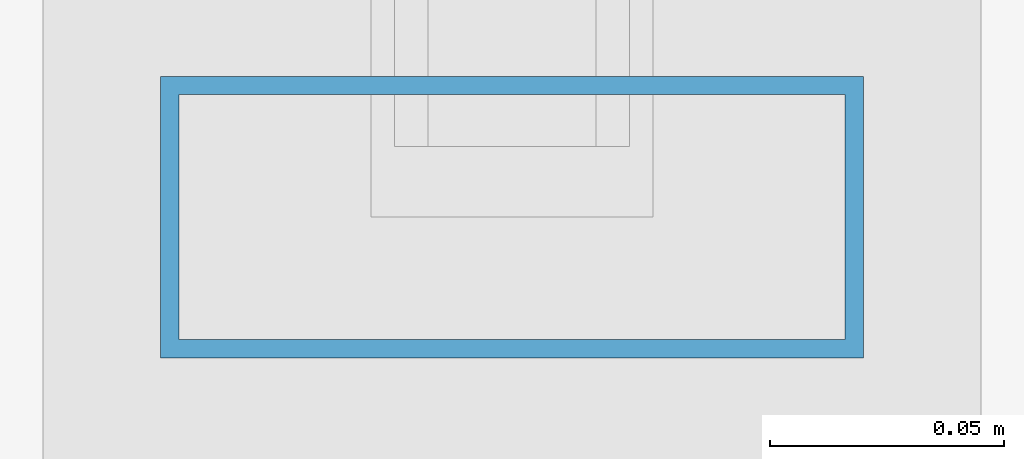
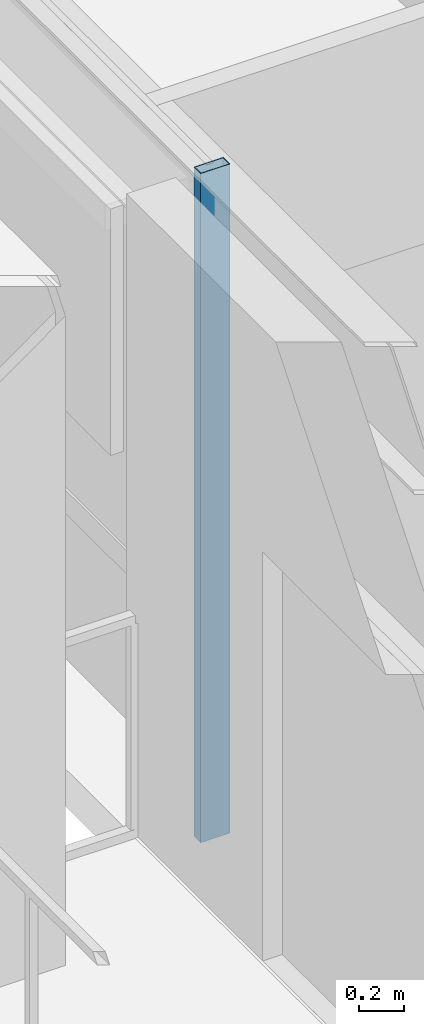
# One storey, part 9 of 27: 1 member, 1 element without a shape of its own.
"""IFC4 building model written with IfcOpenShell, lengths in metres."""

from ifc_helpers import new_model, si_unit, direction, frame, origin, origin_2d, place, context, subcontext, project, spatial, hollow_rectangle, extrude, material, layer, layer_set, material_profile, profile_set, type_object, element, aggregate, save


model = new_model("IFC4")

# Units and contexts
model_context = context("Model", 3, precision=1e-05, world=origin(), true_north=direction((0.0, 1.0)))
body_context = subcontext(model_context, "Body", "Model", "MODEL_VIEW")
ifc_project = project(units=[si_unit("LENGTHUNIT", "METRE"), si_unit("AREAUNIT", "SQUARE_METRE"), si_unit("VOLUMEUNIT", "CUBIC_METRE"), si_unit("PLANEANGLEUNIT", "RADIAN"), si_unit("MASSUNIT", "GRAM", prefix="KILO")], contexts=[model_context])

# Site, building, storey
site_placement = place(None, origin())
site = spatial("IfcSite", under=ifc_project, at=site_placement, CompositionType="ELEMENT")
building_placement = place(site_placement, origin())
building = spatial("IfcBuilding", under=site, at=building_placement, Name="Brelmoor Portico Tower", CompositionType="ELEMENT")
storey_placement = place(building_placement, frame((0.0, 0.0, 258.0)))
storey = spatial("IfcBuildingStorey", under=building, at=storey_placement, Name="L68", CompositionType="ELEMENT", Elevation=258.0)

# Curtain wall, member
ifc_material = material(Name="Anodised Aluminium Alloy 6063-T6", Category="aluminium")
ifc_layer = layer(ifc_material, 0.179931640625)
ifc_layer_set = layer_set([ifc_layer], Name="Anodised Aluminium Alloy 6063-T6")
curtain_wall_type = type_object("IfcCurtainWallType", Name="CW-TOWER-Z4", PredefinedType="NOTDEFINED", material=ifc_layer_set)
curtain_wall_placement = place(storey_placement, origin())
curtain_wall = element("IfcCurtainWall", 1, at=curtain_wall_placement, inside=storey, type_object=curtain_wall_type, Name="L68 Curtain Wall CW-L68-3R-1", PredefinedType="NOTDEFINED")
ifc_material_profile = material_profile(ifc_material, hollow_rectangle(XDim=0.06005859375, YDim=0.14990234375, WallThickness=0.00390625, at=origin_2d()), Name="ALU MULLION 60x150")
ifc_profile_set = profile_set([ifc_material_profile], Name="Anodised Aluminium Alloy 6063-T6")
member_type = type_object("IfcMemberType", Name="MB-CW-MULL-150", PredefinedType="MULLION", material=ifc_profile_set)
member_placement = place(storey_placement, frame((-18.550048828125, -1.0, -0.199951171875), z_axis=(0.0, 0.0, 1.0), x_axis=(0.0, 1.0, 0.0)))
member = element("IfcMember", 2, at=member_placement, type_object=member_type, Name="CW-L68-3R-1 Mullion 00", PredefinedType="MULLION", context=body_context, shape_type="SweptSolid", body=[
    extrude(hollow_rectangle(XDim=0.06005859375, YDim=0.14990234375, WallThickness=0.00390625, at=origin_2d()), origin(), (0.0, 0.0, 1.0), 3.599853515625),
])
aggregate(curtain_wall, [member])

save(model, "model.ifc")
